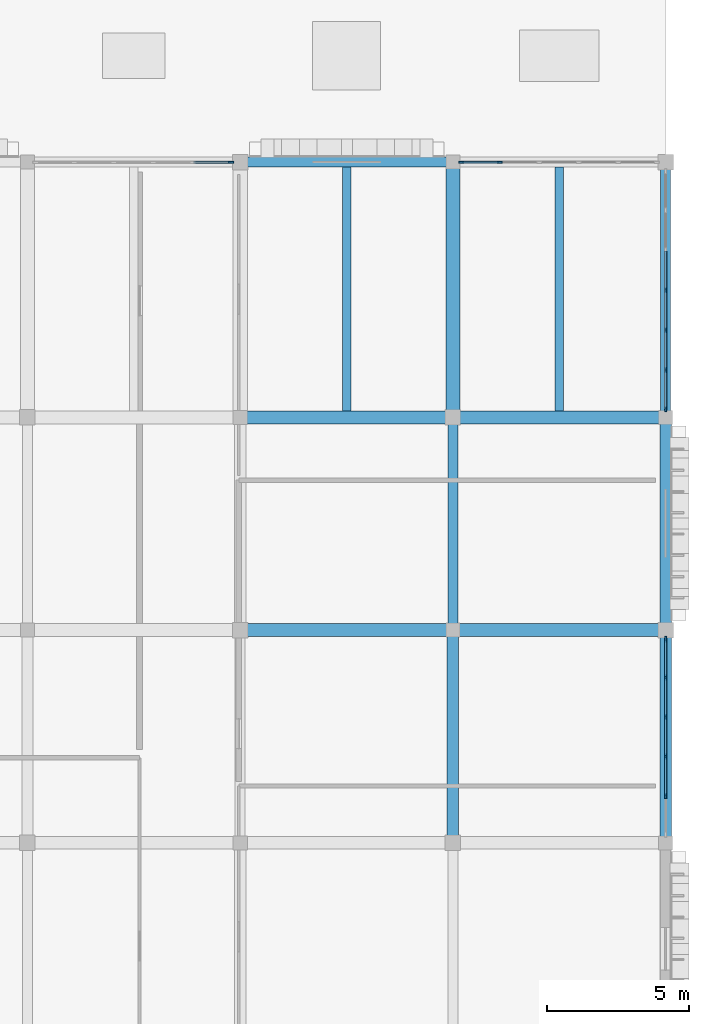
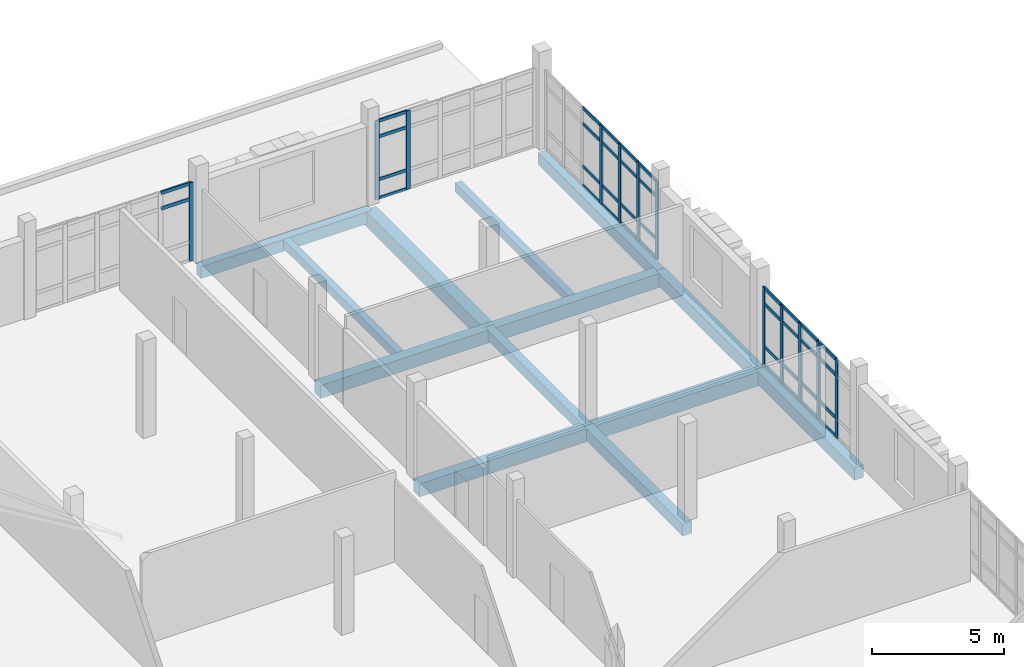
# One storey, part 68 of 128: 50 members, 13 beams, 4 elements without a shape of their own.
"""IFC4 building model written with IfcOpenShell, lengths in metres."""

from ifc_helpers import new_model, si_unit, direction, frame, origin, origin_2d, place, context, subcontext, project, spatial, rectangle, extrude, material, layer, layer_set, material_profile, profile_set, type_object, element, aggregate, save


model = new_model("IFC4")

# Units and contexts
model_context = context("Model", 3, precision=1e-05, world=origin(), true_north=direction((0.0, 1.0)))
body_context = subcontext(model_context, "Body", "Model", "MODEL_VIEW")
ifc_project = project(units=[si_unit("LENGTHUNIT", "METRE"), si_unit("AREAUNIT", "SQUARE_METRE"), si_unit("VOLUMEUNIT", "CUBIC_METRE"), si_unit("PLANEANGLEUNIT", "RADIAN"), si_unit("MASSUNIT", "GRAM", prefix="KILO")], contexts=[model_context])

# Site, building, storey
site_placement = place(None, origin())
site = spatial("IfcSite", under=ifc_project, at=site_placement, CompositionType="ELEMENT")
building_placement = place(site_placement, origin())
building = spatial("IfcBuilding", under=site, at=building_placement, Name="Dalvernix Boulevard General Hospital", CompositionType="ELEMENT")
storey_placement = place(building_placement, frame((0.0, 0.0, 4.800048828125)))
storey = spatial("IfcBuildingStorey", under=building, at=storey_placement, Name="L01", CompositionType="ELEMENT", Elevation=4.800048828125)

# Beams
ifc_material_1 = material(Name="Concrete C35/45", Category="concrete")
ifc_material_profile_1 = material_profile(ifc_material_1, rectangle(XDim=0.5, YDim=0.699951171875, at=origin_2d()), Name="RCB 500x700")
ifc_profile_set_1 = profile_set([ifc_material_profile_1], Name="Concrete C35/45")
beam_type_1 = type_object("IfcBeamType", Name="BM-B-01-I", PredefinedType="BEAM", material=ifc_profile_set_1)
beam_1_placement = place(storey_placement, frame((165.0, 76.5, -0.650146484375), z_axis=(0.0, 1.0, 0.0), x_axis=(-1.0, 0.0, 0.0)))
element("IfcBeam", 1, at=beam_1_placement, inside=storey, type_object=beam_type_1, Name="L01 N-S girder 23:L-M", PredefinedType="BEAM", context=body_context, shape_type="SweptSolid", body=[
    extrude(rectangle(XDim=0.5, YDim=0.699951171875, at=origin_2d()), origin(), (0.0, 0.0, 1.0), 9.0),
])
ifc_material_profile_2 = material_profile(ifc_material_1, rectangle(XDim=0.449951171875, YDim=0.64990234375, at=origin_2d()), Name="RCB 450x650")
ifc_profile_set_2 = profile_set([ifc_material_profile_2], Name="Concrete C35/45")
beam_type_2 = type_object("IfcBeamType", Name="BM-B-03-I", PredefinedType="BEAM", material=ifc_profile_set_2)
for number, where, z_axis, x_axis, name in (
    (2, (165.0, 69.0, -0.625), (1.0, 0.0, 0.0), (0.0, 1.0, 0.0), "L01 E-W girder K:23-24"),
    (3, (165.0, 76.5, -0.625), (1.0, 0.0, 0.0), (0.0, 1.0, 0.0), "L01 E-W girder L:23-24"),
):
    element("IfcBeam", number, at=place(storey_placement, frame(where, z_axis=z_axis, x_axis=x_axis)), inside=storey, type_object=beam_type_2, Name=name, PredefinedType="BEAM", context=body_context, shape_type="SweptSolid", body=[
        extrude(rectangle(XDim=0.449951171875, YDim=0.64990234375, at=origin_2d()), origin(), (0.0, 0.0, 1.0), 7.5),
    ])
ifc_material_profile_3 = material_profile(ifc_material_1, rectangle(XDim=0.449951171875, YDim=0.60009765625, at=origin_2d()), Name="RCB 450x600")
ifc_profile_set_3 = profile_set([ifc_material_profile_3], Name="Concrete C35/45")
beam_type_3 = type_object("IfcBeamType", Name="BM-B-04-I", PredefinedType="BEAM", material=ifc_profile_set_3)
for number, where, z_axis, x_axis, name in (
    (4, (157.5, 69.0, -0.60009765625), (1.0, 0.0, 0.0), (0.0, 1.0, 0.0), "L01 E-W girder K:22-23"),
    (5, (157.5, 76.5, -0.60009765625), (1.0, 0.0, 0.0), (0.0, 1.0, 0.0), "L01 E-W girder L:22-23"),
):
    element("IfcBeam", number, at=place(storey_placement, frame(where, z_axis=z_axis, x_axis=x_axis)), inside=storey, type_object=beam_type_3, Name=name, PredefinedType="BEAM", context=body_context, shape_type="SweptSolid", body=[
        extrude(rectangle(XDim=0.449951171875, YDim=0.60009765625, at=origin_2d()), origin(), (0.0, 0.0, 1.0), 7.5),
    ])
ifc_material_profile_4 = material_profile(ifc_material_1, rectangle(XDim=0.39990234375, YDim=0.550048828125, at=origin_2d()), Name="RCB 400x550")
ifc_profile_set_4 = profile_set([ifc_material_profile_4], Name="Concrete C35/45")
beam_type_4 = type_object("IfcBeamType", Name="BM-B-06-I", PredefinedType="BEAM", material=ifc_profile_set_4)
beam_2_placement = place(storey_placement, frame((165.0, 61.5, -0.574951171875), z_axis=(0.0, 1.0, 0.0), x_axis=(-1.0, 0.0, 0.0)))
element("IfcBeam", 6, at=beam_2_placement, inside=storey, type_object=beam_type_4, Name="L01 N-S girder 23:J-K", PredefinedType="BEAM", context=body_context, shape_type="SweptSolid", body=[
    extrude(rectangle(XDim=0.39990234375, YDim=0.550048828125, at=origin_2d()), origin(), (0.0, 0.0, 1.0), 7.5),
])
ifc_material_profile_5 = material_profile(ifc_material_1, rectangle(XDim=0.35009765625, YDim=0.5, at=origin_2d()), Name="RCB 350x500")
ifc_profile_set_5 = profile_set([ifc_material_profile_5], Name="Concrete C35/45")
beam_type_5 = type_object("IfcBeamType", Name="BM-B-08-I", PredefinedType="BEAM", material=ifc_profile_set_5)
beam_3_placement = place(storey_placement, frame((165.0, 69.0, -0.550048828125), z_axis=(0.0, 1.0, 0.0), x_axis=(-1.0, 0.0, 0.0)))
element("IfcBeam", 7, at=beam_3_placement, inside=storey, type_object=beam_type_5, Name="L01 N-S girder 23:K-L", PredefinedType="BEAM", context=body_context, shape_type="SweptSolid", body=[
    extrude(rectangle(XDim=0.35009765625, YDim=0.5, at=origin_2d()), origin(), (0.0, 0.0, 1.0), 7.5),
])
ifc_material_profile_6 = material_profile(ifc_material_1, rectangle(XDim=0.300048828125, YDim=0.39990234375, at=origin_2d()), Name="RCB 300x400")
ifc_profile_set_6 = profile_set([ifc_material_profile_6], Name="Concrete C35/45")
beam_type_6 = type_object("IfcBeamType", Name="BM-JB-01", PredefinedType="JOIST", material=ifc_profile_set_6)
for number, where, z_axis, x_axis, name in (
    (8, (161.25, 76.72509765625, -0.5), (0.0, 1.0, 0.0), (-1.0, 0.0, 0.0), "L01 secondary floor beam 22-L"),
    (9, (168.75, 76.72509765625, -0.5), (0.0, 1.0, 0.0), (-1.0, 0.0, 0.0), "L01 secondary floor beam 23-L"),
):
    element("IfcBeam", number, at=place(storey_placement, frame(where, z_axis=z_axis, x_axis=x_axis)), inside=storey, type_object=beam_type_6, Name=name, PredefinedType="JOIST", context=body_context, shape_type="SweptSolid", body=[
        extrude(rectangle(XDim=0.300048828125, YDim=0.39990234375, at=origin_2d()), origin(), (0.0, 0.0, 1.0), 8.599853515625),
    ])
ifc_material_profile_7 = material_profile(ifc_material_1, rectangle(XDim=0.35009765625, YDim=0.550048828125, at=origin_2d()), Name="RCB 350x550")
ifc_profile_set_7 = profile_set([ifc_material_profile_7], Name="Concrete C35/45")
beam_type_7 = type_object("IfcBeamType", Name="BM-SB-01-E", PredefinedType="SPANDREL", material=ifc_profile_set_7)
beam_4_placement = place(storey_placement, frame((157.5, 85.5, -0.574951171875), z_axis=(1.0, 0.0, 0.0), x_axis=(0.0, 1.0, 0.0)))
element("IfcBeam", 10, at=beam_4_placement, inside=storey, type_object=beam_type_7, Name="L01 E-W girder M:22-23", PredefinedType="SPANDREL", context=body_context, shape_type="SweptSolid", body=[
    extrude(rectangle(XDim=0.35009765625, YDim=0.550048828125, at=origin_2d()), origin(), (0.0, 0.0, 1.0), 7.5),
])
beam_5_placement = place(storey_placement, frame((172.5, 76.5, -0.574951171875), z_axis=(0.0, 1.0, 0.0), x_axis=(-1.0, 0.0, 0.0)))
element("IfcBeam", 11, at=beam_5_placement, inside=storey, type_object=beam_type_7, Name="L01 N-S girder 24:L-M", PredefinedType="SPANDREL", context=body_context, shape_type="SweptSolid", body=[
    extrude(rectangle(XDim=0.35009765625, YDim=0.550048828125, at=origin_2d()), origin(), (0.0, 0.0, 1.0), 9.0),
])
ifc_material_profile_8 = material_profile(ifc_material_1, rectangle(XDim=0.39990234375, YDim=0.60009765625, at=origin_2d()), Name="RCB 400x600")
ifc_profile_set_8 = profile_set([ifc_material_profile_8], Name="Concrete C35/45")
beam_type_8 = type_object("IfcBeamType", Name="BM-SB-02-E", PredefinedType="SPANDREL", material=ifc_profile_set_8)
for number, where, z_axis, x_axis, name in (
    (12, (172.5, 61.5, -0.60009765625), (0.0, 1.0, 0.0), (-1.0, 0.0, 0.0), "L01 N-S girder 24:J-K"),
    (13, (172.5, 69.0, -0.60009765625), (0.0, 1.0, 0.0), (-1.0, 0.0, 0.0), "L01 N-S girder 24:K-L"),
):
    element("IfcBeam", number, at=place(storey_placement, frame(where, z_axis=z_axis, x_axis=x_axis)), inside=storey, type_object=beam_type_8, Name=name, PredefinedType="SPANDREL", context=body_context, shape_type="SweptSolid", body=[
        extrude(rectangle(XDim=0.39990234375, YDim=0.60009765625, at=origin_2d()), origin(), (0.0, 0.0, 1.0), 7.5),
    ])

# Curtain wall, members
ifc_material_2 = material(Name="Thermally broken aluminium and solar-control glass curtain wall", Category="aluminium")
ifc_layer_1 = layer(ifc_material_2, 0.179931640625)
ifc_layer_set_1 = layer_set([ifc_layer_1], Name="Thermally broken aluminium and solar-control glass curtain wall (CW-CW-B-70x36)")
curtain_wall_type_1 = type_object("IfcCurtainWallType", Name="CW-CW-B-70x36", PredefinedType="USERDEFINED", material=ifc_layer_set_1)
curtain_wall_1_placement = place(storey_placement, origin())
curtain_wall_1 = element("IfcCurtainWall", 14, at=curtain_wall_1_placement, inside=storey, type_object=curtain_wall_type_1, Name="L01 curtain wall CW-B-70x36 22-11", ObjectType="GLAZED FACADE", PredefinedType="USERDEFINED")
ifc_material_3 = material(Name="Aluminium EN AW-6060", Category="aluminium")
ifc_material_profile_9 = material_profile(ifc_material_3, rectangle(XDim=0.06494140625, YDim=0.179931640625, at=origin_2d()), Name="ALU MULL 65x180")
ifc_profile_set_9 = profile_set([ifc_material_profile_9], Name="Aluminium EN AW-6060")
member_type_1 = type_object("IfcMemberType", Name="MEM-CW-M2", PredefinedType="MULLION", material=ifc_profile_set_9)
member_1_placement = place(storey_placement, frame((165.29248046875, 85.5, 0.0), z_axis=(0.0, 0.0, 1.0), x_axis=(0.0, 1.0, 0.0)))
member_1 = element("IfcMember", 15, at=member_1_placement, type_object=member_type_1, Name="CW-B-70x36 mullion 1", PredefinedType="MULLION", context=body_context, shape_type="SweptSolid", body=[
    extrude(rectangle(XDim=0.06494140625, YDim=0.179931640625, at=origin_2d()), origin(), (0.0, 0.0, 1.0), 3.6298828125),
])
member_2_placement = place(storey_placement, frame((166.65087890625, 85.5, 0.0), z_axis=(0.0, 0.0, 1.0), x_axis=(0.0, 1.0, 0.0)))
member_2 = element("IfcMember", 16, at=member_2_placement, type_object=member_type_1, Name="CW-B-70x36 mullion 2", PredefinedType="MULLION", context=body_context, shape_type="SweptSolid", body=[
    extrude(rectangle(XDim=0.06494140625, YDim=0.179931640625, at=origin_2d()), origin(), (0.0, 0.0, 1.0), 3.6298828125),
])

ifc_layer_2 = layer(ifc_material_2, 0.179931640625)
ifc_layer_set_2 = layer_set([ifc_layer_2], Name="Thermally broken aluminium and solar-control glass curtain wall (CW-CW-B-85x36)")
curtain_wall_type_2 = type_object("IfcCurtainWallType", Name="CW-CW-B-85x36", PredefinedType="USERDEFINED", material=ifc_layer_set_2)
curtain_wall_2_placement = place(storey_placement, origin())
curtain_wall_2 = element("IfcCurtainWall", 17, at=curtain_wall_2_placement, inside=storey, type_object=curtain_wall_type_2, Name="L01 curtain wall CW-B-85x36 23-10", ObjectType="GLAZED FACADE", PredefinedType="USERDEFINED")
member_3_placement = place(storey_placement, frame((172.5, 80.987548828125, 0.0), z_axis=(0.0, 0.0, 1.0), x_axis=(1.0, 0.0, 0.0)))
member_3 = element("IfcMember", 18, at=member_3_placement, type_object=member_type_1, Name="CW-B-85x36 mullion 4", PredefinedType="MULLION", context=body_context, shape_type="SweptSolid", body=[
    extrude(rectangle(XDim=0.06494140625, YDim=0.179931640625, at=origin_2d()), origin(), (0.0, 0.0, 1.0), 3.6298828125),
])
member_4_placement = place(storey_placement, frame((172.5, 79.578369140625, 0.0), z_axis=(0.0, 0.0, 1.0), x_axis=(1.0, 0.0, 0.0)))
member_4 = element("IfcMember", 19, at=member_4_placement, type_object=member_type_1, Name="CW-B-85x36 mullion 5", PredefinedType="MULLION", context=body_context, shape_type="SweptSolid", body=[
    extrude(rectangle(XDim=0.06494140625, YDim=0.179931640625, at=origin_2d()), origin(), (0.0, 0.0, 1.0), 3.6298828125),
])
member_5_placement = place(storey_placement, frame((172.5, 78.169189453125, 0.0), z_axis=(0.0, 0.0, 1.0), x_axis=(1.0, 0.0, 0.0)))
member_5 = element("IfcMember", 20, at=member_5_placement, type_object=member_type_1, Name="CW-B-85x36 mullion 6", PredefinedType="MULLION", context=body_context, shape_type="SweptSolid", body=[
    extrude(rectangle(XDim=0.06494140625, YDim=0.179931640625, at=origin_2d()), origin(), (0.0, 0.0, 1.0), 3.6298828125),
])
member_6_placement = place(storey_placement, frame((172.5, 76.79248046875, 0.0), z_axis=(0.0, 0.0, 1.0), x_axis=(1.0, 0.0, 0.0)))
member_6 = element("IfcMember", 21, at=member_6_placement, type_object=member_type_1, Name="CW-B-85x36 mullion 7", PredefinedType="MULLION", context=body_context, shape_type="SweptSolid", body=[
    extrude(rectangle(XDim=0.06494140625, YDim=0.179931640625, at=origin_2d()), origin(), (0.0, 0.0, 1.0), 3.6298828125),
])

# Curtain wall, member
ifc_layer_3 = layer(ifc_material_2, 0.199951171875)
ifc_layer_set_3 = layer_set([ifc_layer_3], Name="Thermally broken aluminium and solar-control glass curtain wall (CW-CW-C-70x36)")
curtain_wall_type_3 = type_object("IfcCurtainWallType", Name="CW-CW-C-70x36", PredefinedType="USERDEFINED", material=ifc_layer_set_3)
curtain_wall_3_placement = place(storey_placement, origin())
curtain_wall_3 = element("IfcCurtainWall", 22, at=curtain_wall_3_placement, inside=storey, type_object=curtain_wall_type_3, Name="L01 curtain wall CW-C-70x36 20-11", ObjectType="GLAZED FACADE", PredefinedType="USERDEFINED")
ifc_material_profile_10 = material_profile(ifc_material_3, rectangle(XDim=0.070068359375, YDim=0.199951171875, at=origin_2d()), Name="ALU MULL 70x200")
ifc_profile_set_10 = profile_set([ifc_material_profile_10], Name="Aluminium EN AW-6060")
member_type_2 = type_object("IfcMemberType", Name="MEM-CW-M3", PredefinedType="MULLION", material=ifc_profile_set_10)
member_7_placement = place(storey_placement, frame((157.179931640625, 85.5, 0.0), z_axis=(0.0, 0.0, 1.0), x_axis=(0.0, 1.0, 0.0)))
member_7 = element("IfcMember", 23, at=member_7_placement, type_object=member_type_2, Name="CW-C-70x36 mullion 6", PredefinedType="MULLION", context=body_context, shape_type="SweptSolid", body=[
    extrude(rectangle(XDim=0.070068359375, YDim=0.199951171875, at=origin_2d()), origin(), (0.0, 0.0, 1.0), 3.6298828125),
])

# Curtain wall, members
curtain_wall_4_placement = place(storey_placement, origin())
curtain_wall_4 = element("IfcCurtainWall", 24, at=curtain_wall_4_placement, inside=storey, type_object=curtain_wall_type_3, Name="L01 curtain wall CW-C-70x36 23-8", ObjectType="GLAZED FACADE", PredefinedType="USERDEFINED")
member_8_placement = place(storey_placement, frame((172.5, 68.679931640625, 0.0), z_axis=(0.0, 0.0, 1.0), x_axis=(1.0, 0.0, 0.0)))
member_8 = element("IfcMember", 25, at=member_8_placement, type_object=member_type_2, Name="CW-C-70x36 mullion 1", PredefinedType="MULLION", context=body_context, shape_type="SweptSolid", body=[
    extrude(rectangle(XDim=0.070068359375, YDim=0.199951171875, at=origin_2d()), origin(), (0.0, 0.0, 1.0), 3.6298828125),
])
member_9_placement = place(storey_placement, frame((172.5, 67.323974609375, 0.0), z_axis=(0.0, 0.0, 1.0), x_axis=(1.0, 0.0, 0.0)))
member_9 = element("IfcMember", 26, at=member_9_placement, type_object=member_type_2, Name="CW-C-70x36 mullion 2", PredefinedType="MULLION", context=body_context, shape_type="SweptSolid", body=[
    extrude(rectangle(XDim=0.070068359375, YDim=0.199951171875, at=origin_2d()), origin(), (0.0, 0.0, 1.0), 3.6298828125),
])
member_10_placement = place(storey_placement, frame((172.5, 65.93310546875, 0.0), z_axis=(0.0, 0.0, 1.0), x_axis=(1.0, 0.0, 0.0)))
member_10 = element("IfcMember", 27, at=member_10_placement, type_object=member_type_2, Name="CW-C-70x36 mullion 3", PredefinedType="MULLION", context=body_context, shape_type="SweptSolid", body=[
    extrude(rectangle(XDim=0.070068359375, YDim=0.199951171875, at=origin_2d()), origin(), (0.0, 0.0, 1.0), 3.6298828125),
])
member_11_placement = place(storey_placement, frame((172.5, 64.5419921875, 0.0), z_axis=(0.0, 0.0, 1.0), x_axis=(1.0, 0.0, 0.0)))
member_11 = element("IfcMember", 28, at=member_11_placement, type_object=member_type_2, Name="CW-C-70x36 mullion 4", PredefinedType="MULLION", context=body_context, shape_type="SweptSolid", body=[
    extrude(rectangle(XDim=0.070068359375, YDim=0.199951171875, at=origin_2d()), origin(), (0.0, 0.0, 1.0), 3.6298828125),
])
member_12_placement = place(storey_placement, frame((172.5, 63.15087890625, 0.0), z_axis=(0.0, 0.0, 1.0), x_axis=(1.0, 0.0, 0.0)))
member_12 = element("IfcMember", 29, at=member_12_placement, type_object=member_type_2, Name="CW-C-70x36 mullion 5", PredefinedType="MULLION", context=body_context, shape_type="SweptSolid", body=[
    extrude(rectangle(XDim=0.070068359375, YDim=0.199951171875, at=origin_2d()), origin(), (0.0, 0.0, 1.0), 3.6298828125),
])

# Member
ifc_material_profile_11 = material_profile(ifc_material_3, rectangle(XDim=0.06494140625, YDim=0.139892578125, at=origin_2d()), Name="ALU TRAN 65x140")
ifc_profile_set_11 = profile_set([ifc_material_profile_11], Name="Aluminium EN AW-6060")
member_type_3 = type_object("IfcMemberType", Name="MEM-CW-T2", PredefinedType="USERDEFINED", material=ifc_profile_set_11)
member_13_placement = place(storey_placement, frame((165.324951171875, 85.5, 0.032470703125), z_axis=(1.0, 0.0, 0.0), x_axis=(0.0, 1.0, 0.0)))
member_13 = element("IfcMember", 30, at=member_13_placement, type_object=member_type_3, Name="CW-B-70x36 transom 1.1", ObjectType="TRANSOM", PredefinedType="USERDEFINED", context=body_context, shape_type="SweptSolid", body=[
    extrude(rectangle(XDim=0.06494140625, YDim=0.139892578125, at=origin_2d()), origin(), (0.0, 0.0, 1.0), 1.29345703125),
])

member_14_placement = place(storey_placement, frame((165.324951171875, 85.5, 0.89990234375), z_axis=(1.0, 0.0, 0.0), x_axis=(0.0, 1.0, 0.0)))
member_14 = element("IfcMember", 31, at=member_14_placement, type_object=member_type_3, Name="CW-B-70x36 transom 1.2", ObjectType="TRANSOM", PredefinedType="USERDEFINED", context=body_context, shape_type="SweptSolid", body=[
    extrude(rectangle(XDim=0.06494140625, YDim=0.139892578125, at=origin_2d()), origin(), (0.0, 0.0, 1.0), 1.29345703125),
])

member_15_placement = place(storey_placement, frame((165.324951171875, 85.5, 2.8798828125), z_axis=(1.0, 0.0, 0.0), x_axis=(0.0, 1.0, 0.0)))
member_15 = element("IfcMember", 32, at=member_15_placement, type_object=member_type_3, Name="CW-B-70x36 transom 1.3", ObjectType="TRANSOM", PredefinedType="USERDEFINED", context=body_context, shape_type="SweptSolid", body=[
    extrude(rectangle(XDim=0.06494140625, YDim=0.139892578125, at=origin_2d()), origin(), (0.0, 0.0, 1.0), 1.29345703125),
])

member_16_placement = place(storey_placement, frame((165.324951171875, 85.5, 3.597412109375), z_axis=(1.0, 0.0, 0.0), x_axis=(0.0, 1.0, 0.0)))
member_16 = element("IfcMember", 33, at=member_16_placement, type_object=member_type_3, Name="CW-B-70x36 transom 1.4", ObjectType="TRANSOM", PredefinedType="USERDEFINED", context=body_context, shape_type="SweptSolid", body=[
    extrude(rectangle(XDim=0.06494140625, YDim=0.139892578125, at=origin_2d()), origin(), (0.0, 0.0, 1.0), 1.29345703125),
])

aggregate(curtain_wall_1, [member_1, member_2, member_13, member_14, member_15, member_16])

member_17_placement = place(storey_placement, frame((172.5, 82.3642578125, 0.032470703125), z_axis=(0.0, -1.0, 0.0), x_axis=(1.0, 0.0, 0.0)))
member_17 = element("IfcMember", 34, at=member_17_placement, type_object=member_type_3, Name="CW-B-85x36 transom 3.1", ObjectType="TRANSOM", PredefinedType="USERDEFINED", context=body_context, shape_type="SweptSolid", body=[
    extrude(rectangle(XDim=0.06494140625, YDim=0.139892578125, at=origin_2d()), origin(), (0.0, 0.0, 1.0), 1.34423828125),
])

member_18_placement = place(storey_placement, frame((172.5, 82.3642578125, 0.89990234375), z_axis=(0.0, -1.0, 0.0), x_axis=(1.0, 0.0, 0.0)))
member_18 = element("IfcMember", 35, at=member_18_placement, type_object=member_type_3, Name="CW-B-85x36 transom 3.2", ObjectType="TRANSOM", PredefinedType="USERDEFINED", context=body_context, shape_type="SweptSolid", body=[
    extrude(rectangle(XDim=0.06494140625, YDim=0.139892578125, at=origin_2d()), origin(), (0.0, 0.0, 1.0), 1.34423828125),
])

member_19_placement = place(storey_placement, frame((172.5, 82.3642578125, 2.8798828125), z_axis=(0.0, -1.0, 0.0), x_axis=(1.0, 0.0, 0.0)))
member_19 = element("IfcMember", 36, at=member_19_placement, type_object=member_type_3, Name="CW-B-85x36 transom 3.3", ObjectType="TRANSOM", PredefinedType="USERDEFINED", context=body_context, shape_type="SweptSolid", body=[
    extrude(rectangle(XDim=0.06494140625, YDim=0.139892578125, at=origin_2d()), origin(), (0.0, 0.0, 1.0), 1.34423828125),
])

member_20_placement = place(storey_placement, frame((172.5, 82.3642578125, 3.597412109375), z_axis=(0.0, -1.0, 0.0), x_axis=(1.0, 0.0, 0.0)))
member_20 = element("IfcMember", 37, at=member_20_placement, type_object=member_type_3, Name="CW-B-85x36 transom 3.4", ObjectType="TRANSOM", PredefinedType="USERDEFINED", context=body_context, shape_type="SweptSolid", body=[
    extrude(rectangle(XDim=0.06494140625, YDim=0.139892578125, at=origin_2d()), origin(), (0.0, 0.0, 1.0), 1.34423828125),
])

member_21_placement = place(storey_placement, frame((172.5, 80.955078125, 0.032470703125), z_axis=(0.0, -1.0, 0.0), x_axis=(1.0, 0.0, 0.0)))
member_21 = element("IfcMember", 38, at=member_21_placement, type_object=member_type_3, Name="CW-B-85x36 transom 4.1", ObjectType="TRANSOM", PredefinedType="USERDEFINED", context=body_context, shape_type="SweptSolid", body=[
    extrude(rectangle(XDim=0.06494140625, YDim=0.139892578125, at=origin_2d()), origin(), (0.0, 0.0, 1.0), 1.34423828125),
])

member_22_placement = place(storey_placement, frame((172.5, 80.955078125, 0.89990234375), z_axis=(0.0, -1.0, 0.0), x_axis=(1.0, 0.0, 0.0)))
member_22 = element("IfcMember", 39, at=member_22_placement, type_object=member_type_3, Name="CW-B-85x36 transom 4.2", ObjectType="TRANSOM", PredefinedType="USERDEFINED", context=body_context, shape_type="SweptSolid", body=[
    extrude(rectangle(XDim=0.06494140625, YDim=0.139892578125, at=origin_2d()), origin(), (0.0, 0.0, 1.0), 1.34423828125),
])

member_23_placement = place(storey_placement, frame((172.5, 80.955078125, 2.8798828125), z_axis=(0.0, -1.0, 0.0), x_axis=(1.0, 0.0, 0.0)))
member_23 = element("IfcMember", 40, at=member_23_placement, type_object=member_type_3, Name="CW-B-85x36 transom 4.3", ObjectType="TRANSOM", PredefinedType="USERDEFINED", context=body_context, shape_type="SweptSolid", body=[
    extrude(rectangle(XDim=0.06494140625, YDim=0.139892578125, at=origin_2d()), origin(), (0.0, 0.0, 1.0), 1.34423828125),
])

member_24_placement = place(storey_placement, frame((172.5, 80.955078125, 3.597412109375), z_axis=(0.0, -1.0, 0.0), x_axis=(1.0, 0.0, 0.0)))
member_24 = element("IfcMember", 41, at=member_24_placement, type_object=member_type_3, Name="CW-B-85x36 transom 4.4", ObjectType="TRANSOM", PredefinedType="USERDEFINED", context=body_context, shape_type="SweptSolid", body=[
    extrude(rectangle(XDim=0.06494140625, YDim=0.139892578125, at=origin_2d()), origin(), (0.0, 0.0, 1.0), 1.34423828125),
])

member_25_placement = place(storey_placement, frame((172.5, 79.5458984375, 0.032470703125), z_axis=(0.0, -1.0, 0.0), x_axis=(1.0, 0.0, 0.0)))
member_25 = element("IfcMember", 42, at=member_25_placement, type_object=member_type_3, Name="CW-B-85x36 transom 5.1", ObjectType="TRANSOM", PredefinedType="USERDEFINED", context=body_context, shape_type="SweptSolid", body=[
    extrude(rectangle(XDim=0.06494140625, YDim=0.139892578125, at=origin_2d()), origin(), (0.0, 0.0, 1.0), 1.34423828125),
])

member_26_placement = place(storey_placement, frame((172.5, 79.5458984375, 0.89990234375), z_axis=(0.0, -1.0, 0.0), x_axis=(1.0, 0.0, 0.0)))
member_26 = element("IfcMember", 43, at=member_26_placement, type_object=member_type_3, Name="CW-B-85x36 transom 5.2", ObjectType="TRANSOM", PredefinedType="USERDEFINED", context=body_context, shape_type="SweptSolid", body=[
    extrude(rectangle(XDim=0.06494140625, YDim=0.139892578125, at=origin_2d()), origin(), (0.0, 0.0, 1.0), 1.34423828125),
])

member_27_placement = place(storey_placement, frame((172.5, 79.5458984375, 2.8798828125), z_axis=(0.0, -1.0, 0.0), x_axis=(1.0, 0.0, 0.0)))
member_27 = element("IfcMember", 44, at=member_27_placement, type_object=member_type_3, Name="CW-B-85x36 transom 5.3", ObjectType="TRANSOM", PredefinedType="USERDEFINED", context=body_context, shape_type="SweptSolid", body=[
    extrude(rectangle(XDim=0.06494140625, YDim=0.139892578125, at=origin_2d()), origin(), (0.0, 0.0, 1.0), 1.34423828125),
])

member_28_placement = place(storey_placement, frame((172.5, 79.5458984375, 3.597412109375), z_axis=(0.0, -1.0, 0.0), x_axis=(1.0, 0.0, 0.0)))
member_28 = element("IfcMember", 45, at=member_28_placement, type_object=member_type_3, Name="CW-B-85x36 transom 5.4", ObjectType="TRANSOM", PredefinedType="USERDEFINED", context=body_context, shape_type="SweptSolid", body=[
    extrude(rectangle(XDim=0.06494140625, YDim=0.139892578125, at=origin_2d()), origin(), (0.0, 0.0, 1.0), 1.34423828125),
])

member_29_placement = place(storey_placement, frame((172.5, 78.13671875, 0.032470703125), z_axis=(0.0, -1.0, 0.0), x_axis=(1.0, 0.0, 0.0)))
member_29 = element("IfcMember", 46, at=member_29_placement, type_object=member_type_3, Name="CW-B-85x36 transom 6.1", ObjectType="TRANSOM", PredefinedType="USERDEFINED", context=body_context, shape_type="SweptSolid", body=[
    extrude(rectangle(XDim=0.06494140625, YDim=0.139892578125, at=origin_2d()), origin(), (0.0, 0.0, 1.0), 1.311767578125),
])

member_30_placement = place(storey_placement, frame((172.5, 78.13671875, 0.89990234375), z_axis=(0.0, -1.0, 0.0), x_axis=(1.0, 0.0, 0.0)))
member_30 = element("IfcMember", 47, at=member_30_placement, type_object=member_type_3, Name="CW-B-85x36 transom 6.2", ObjectType="TRANSOM", PredefinedType="USERDEFINED", context=body_context, shape_type="SweptSolid", body=[
    extrude(rectangle(XDim=0.06494140625, YDim=0.139892578125, at=origin_2d()), origin(), (0.0, 0.0, 1.0), 1.311767578125),
])

member_31_placement = place(storey_placement, frame((172.5, 78.13671875, 2.8798828125), z_axis=(0.0, -1.0, 0.0), x_axis=(1.0, 0.0, 0.0)))
member_31 = element("IfcMember", 48, at=member_31_placement, type_object=member_type_3, Name="CW-B-85x36 transom 6.3", ObjectType="TRANSOM", PredefinedType="USERDEFINED", context=body_context, shape_type="SweptSolid", body=[
    extrude(rectangle(XDim=0.06494140625, YDim=0.139892578125, at=origin_2d()), origin(), (0.0, 0.0, 1.0), 1.311767578125),
])

member_32_placement = place(storey_placement, frame((172.5, 78.13671875, 3.597412109375), z_axis=(0.0, -1.0, 0.0), x_axis=(1.0, 0.0, 0.0)))
member_32 = element("IfcMember", 49, at=member_32_placement, type_object=member_type_3, Name="CW-B-85x36 transom 6.4", ObjectType="TRANSOM", PredefinedType="USERDEFINED", context=body_context, shape_type="SweptSolid", body=[
    extrude(rectangle(XDim=0.06494140625, YDim=0.139892578125, at=origin_2d()), origin(), (0.0, 0.0, 1.0), 1.311767578125),
])

aggregate(curtain_wall_2, [member_3, member_4, member_5, member_6, member_17, member_18, member_19, member_20, member_21, member_22, member_23, member_24, member_25, member_26, member_27, member_28, member_29, member_30, member_31, member_32])

ifc_material_profile_12 = material_profile(ifc_material_3, rectangle(XDim=0.070068359375, YDim=0.14990234375, at=origin_2d()), Name="ALU TRAN 70x150")
ifc_profile_set_12 = profile_set([ifc_material_profile_12], Name="Aluminium EN AW-6060")
member_type_4 = type_object("IfcMemberType", Name="MEM-CW-T3", PredefinedType="USERDEFINED", material=ifc_profile_set_12)
member_33_placement = place(storey_placement, frame((155.85888671875, 85.5, 2.8798828125), z_axis=(1.0, 0.0, 0.0), x_axis=(0.0, 1.0, 0.0)))
member_33 = element("IfcMember", 50, at=member_33_placement, type_object=member_type_4, Name="CW-C-70x36 transom 5.3", ObjectType="TRANSOM", PredefinedType="USERDEFINED", context=body_context, shape_type="SweptSolid", body=[
    extrude(rectangle(XDim=0.070068359375, YDim=0.14990234375, at=origin_2d()), origin(), (0.0, 0.0, 1.0), 1.2861328125),
])

member_34_placement = place(storey_placement, frame((155.85888671875, 85.5, 3.594970703125), z_axis=(1.0, 0.0, 0.0), x_axis=(0.0, 1.0, 0.0)))
member_34 = element("IfcMember", 51, at=member_34_placement, type_object=member_type_4, Name="CW-C-70x36 transom 5.4", ObjectType="TRANSOM", PredefinedType="USERDEFINED", context=body_context, shape_type="SweptSolid", body=[
    extrude(rectangle(XDim=0.070068359375, YDim=0.14990234375, at=origin_2d()), origin(), (0.0, 0.0, 1.0), 1.2861328125),
])

aggregate(curtain_wall_3, [member_7, member_33, member_34])

member_35_placement = place(storey_placement, frame((172.5, 68.64501953125, 0.034912109375), z_axis=(0.0, -1.0, 0.0), x_axis=(1.0, 0.0, 0.0)))
member_35 = element("IfcMember", 52, at=member_35_placement, type_object=member_type_4, Name="CW-C-70x36 transom 1.1", ObjectType="TRANSOM", PredefinedType="USERDEFINED", context=body_context, shape_type="SweptSolid", body=[
    extrude(rectangle(XDim=0.070068359375, YDim=0.14990234375, at=origin_2d()), origin(), (0.0, 0.0, 1.0), 1.2861328125),
])

member_36_placement = place(storey_placement, frame((172.5, 68.64501953125, 0.89990234375), z_axis=(0.0, -1.0, 0.0), x_axis=(1.0, 0.0, 0.0)))
member_36 = element("IfcMember", 53, at=member_36_placement, type_object=member_type_4, Name="CW-C-70x36 transom 1.2", ObjectType="TRANSOM", PredefinedType="USERDEFINED", context=body_context, shape_type="SweptSolid", body=[
    extrude(rectangle(XDim=0.070068359375, YDim=0.14990234375, at=origin_2d()), origin(), (0.0, 0.0, 1.0), 1.2861328125),
])

member_37_placement = place(storey_placement, frame((172.5, 68.64501953125, 2.8798828125), z_axis=(0.0, -1.0, 0.0), x_axis=(1.0, 0.0, 0.0)))
member_37 = element("IfcMember", 54, at=member_37_placement, type_object=member_type_4, Name="CW-C-70x36 transom 1.3", ObjectType="TRANSOM", PredefinedType="USERDEFINED", context=body_context, shape_type="SweptSolid", body=[
    extrude(rectangle(XDim=0.070068359375, YDim=0.14990234375, at=origin_2d()), origin(), (0.0, 0.0, 1.0), 1.2861328125),
])

member_38_placement = place(storey_placement, frame((172.5, 68.64501953125, 3.594970703125), z_axis=(0.0, -1.0, 0.0), x_axis=(1.0, 0.0, 0.0)))
member_38 = element("IfcMember", 55, at=member_38_placement, type_object=member_type_4, Name="CW-C-70x36 transom 1.4", ObjectType="TRANSOM", PredefinedType="USERDEFINED", context=body_context, shape_type="SweptSolid", body=[
    extrude(rectangle(XDim=0.070068359375, YDim=0.14990234375, at=origin_2d()), origin(), (0.0, 0.0, 1.0), 1.2861328125),
])

member_39_placement = place(storey_placement, frame((172.5, 67.2890625, 0.034912109375), z_axis=(0.0, -1.0, 0.0), x_axis=(1.0, 0.0, 0.0)))
member_39 = element("IfcMember", 56, at=member_39_placement, type_object=member_type_4, Name="CW-C-70x36 transom 2.1", ObjectType="TRANSOM", PredefinedType="USERDEFINED", context=body_context, shape_type="SweptSolid", body=[
    extrude(rectangle(XDim=0.070068359375, YDim=0.14990234375, at=origin_2d()), origin(), (0.0, 0.0, 1.0), 1.321044921875),
])

member_40_placement = place(storey_placement, frame((172.5, 67.2890625, 0.89990234375), z_axis=(0.0, -1.0, 0.0), x_axis=(1.0, 0.0, 0.0)))
member_40 = element("IfcMember", 57, at=member_40_placement, type_object=member_type_4, Name="CW-C-70x36 transom 2.2", ObjectType="TRANSOM", PredefinedType="USERDEFINED", context=body_context, shape_type="SweptSolid", body=[
    extrude(rectangle(XDim=0.070068359375, YDim=0.14990234375, at=origin_2d()), origin(), (0.0, 0.0, 1.0), 1.321044921875),
])

member_41_placement = place(storey_placement, frame((172.5, 67.2890625, 2.8798828125), z_axis=(0.0, -1.0, 0.0), x_axis=(1.0, 0.0, 0.0)))
member_41 = element("IfcMember", 58, at=member_41_placement, type_object=member_type_4, Name="CW-C-70x36 transom 2.3", ObjectType="TRANSOM", PredefinedType="USERDEFINED", context=body_context, shape_type="SweptSolid", body=[
    extrude(rectangle(XDim=0.070068359375, YDim=0.14990234375, at=origin_2d()), origin(), (0.0, 0.0, 1.0), 1.321044921875),
])

member_42_placement = place(storey_placement, frame((172.5, 67.2890625, 3.594970703125), z_axis=(0.0, -1.0, 0.0), x_axis=(1.0, 0.0, 0.0)))
member_42 = element("IfcMember", 59, at=member_42_placement, type_object=member_type_4, Name="CW-C-70x36 transom 2.4", ObjectType="TRANSOM", PredefinedType="USERDEFINED", context=body_context, shape_type="SweptSolid", body=[
    extrude(rectangle(XDim=0.070068359375, YDim=0.14990234375, at=origin_2d()), origin(), (0.0, 0.0, 1.0), 1.321044921875),
])

member_43_placement = place(storey_placement, frame((172.5, 65.89794921875, 0.034912109375), z_axis=(0.0, -1.0, 0.0), x_axis=(1.0, 0.0, 0.0)))
member_43 = element("IfcMember", 60, at=member_43_placement, type_object=member_type_4, Name="CW-C-70x36 transom 3.1", ObjectType="TRANSOM", PredefinedType="USERDEFINED", context=body_context, shape_type="SweptSolid", body=[
    extrude(rectangle(XDim=0.070068359375, YDim=0.14990234375, at=origin_2d()), origin(), (0.0, 0.0, 1.0), 1.321044921875),
])

member_44_placement = place(storey_placement, frame((172.5, 65.89794921875, 0.89990234375), z_axis=(0.0, -1.0, 0.0), x_axis=(1.0, 0.0, 0.0)))
member_44 = element("IfcMember", 61, at=member_44_placement, type_object=member_type_4, Name="CW-C-70x36 transom 3.2", ObjectType="TRANSOM", PredefinedType="USERDEFINED", context=body_context, shape_type="SweptSolid", body=[
    extrude(rectangle(XDim=0.070068359375, YDim=0.14990234375, at=origin_2d()), origin(), (0.0, 0.0, 1.0), 1.321044921875),
])

member_45_placement = place(storey_placement, frame((172.5, 65.89794921875, 2.8798828125), z_axis=(0.0, -1.0, 0.0), x_axis=(1.0, 0.0, 0.0)))
member_45 = element("IfcMember", 62, at=member_45_placement, type_object=member_type_4, Name="CW-C-70x36 transom 3.3", ObjectType="TRANSOM", PredefinedType="USERDEFINED", context=body_context, shape_type="SweptSolid", body=[
    extrude(rectangle(XDim=0.070068359375, YDim=0.14990234375, at=origin_2d()), origin(), (0.0, 0.0, 1.0), 1.321044921875),
])

member_46_placement = place(storey_placement, frame((172.5, 65.89794921875, 3.594970703125), z_axis=(0.0, -1.0, 0.0), x_axis=(1.0, 0.0, 0.0)))
member_46 = element("IfcMember", 63, at=member_46_placement, type_object=member_type_4, Name="CW-C-70x36 transom 3.4", ObjectType="TRANSOM", PredefinedType="USERDEFINED", context=body_context, shape_type="SweptSolid", body=[
    extrude(rectangle(XDim=0.070068359375, YDim=0.14990234375, at=origin_2d()), origin(), (0.0, 0.0, 1.0), 1.321044921875),
])

member_47_placement = place(storey_placement, frame((172.5, 64.507080078125, 0.034912109375), z_axis=(0.0, -1.0, 0.0), x_axis=(1.0, 0.0, 0.0)))
member_47 = element("IfcMember", 64, at=member_47_placement, type_object=member_type_4, Name="CW-C-70x36 transom 4.1", ObjectType="TRANSOM", PredefinedType="USERDEFINED", context=body_context, shape_type="SweptSolid", body=[
    extrude(rectangle(XDim=0.070068359375, YDim=0.14990234375, at=origin_2d()), origin(), (0.0, 0.0, 1.0), 1.321044921875),
])

member_48_placement = place(storey_placement, frame((172.5, 64.507080078125, 0.89990234375), z_axis=(0.0, -1.0, 0.0), x_axis=(1.0, 0.0, 0.0)))
member_48 = element("IfcMember", 65, at=member_48_placement, type_object=member_type_4, Name="CW-C-70x36 transom 4.2", ObjectType="TRANSOM", PredefinedType="USERDEFINED", context=body_context, shape_type="SweptSolid", body=[
    extrude(rectangle(XDim=0.070068359375, YDim=0.14990234375, at=origin_2d()), origin(), (0.0, 0.0, 1.0), 1.321044921875),
])

member_49_placement = place(storey_placement, frame((172.5, 64.507080078125, 2.8798828125), z_axis=(0.0, -1.0, 0.0), x_axis=(1.0, 0.0, 0.0)))
member_49 = element("IfcMember", 66, at=member_49_placement, type_object=member_type_4, Name="CW-C-70x36 transom 4.3", ObjectType="TRANSOM", PredefinedType="USERDEFINED", context=body_context, shape_type="SweptSolid", body=[
    extrude(rectangle(XDim=0.070068359375, YDim=0.14990234375, at=origin_2d()), origin(), (0.0, 0.0, 1.0), 1.321044921875),
])

member_50_placement = place(storey_placement, frame((172.5, 64.507080078125, 3.594970703125), z_axis=(0.0, -1.0, 0.0), x_axis=(1.0, 0.0, 0.0)))
member_50 = element("IfcMember", 67, at=member_50_placement, type_object=member_type_4, Name="CW-C-70x36 transom 4.4", ObjectType="TRANSOM", PredefinedType="USERDEFINED", context=body_context, shape_type="SweptSolid", body=[
    extrude(rectangle(XDim=0.070068359375, YDim=0.14990234375, at=origin_2d()), origin(), (0.0, 0.0, 1.0), 1.321044921875),
])

aggregate(curtain_wall_4, [member_8, member_9, member_10, member_11, member_12, member_35, member_36, member_37, member_38, member_39, member_40, member_41, member_42, member_43, member_44, member_45, member_46, member_47, member_48, member_49, member_50])

save(model, "model.ifc")
